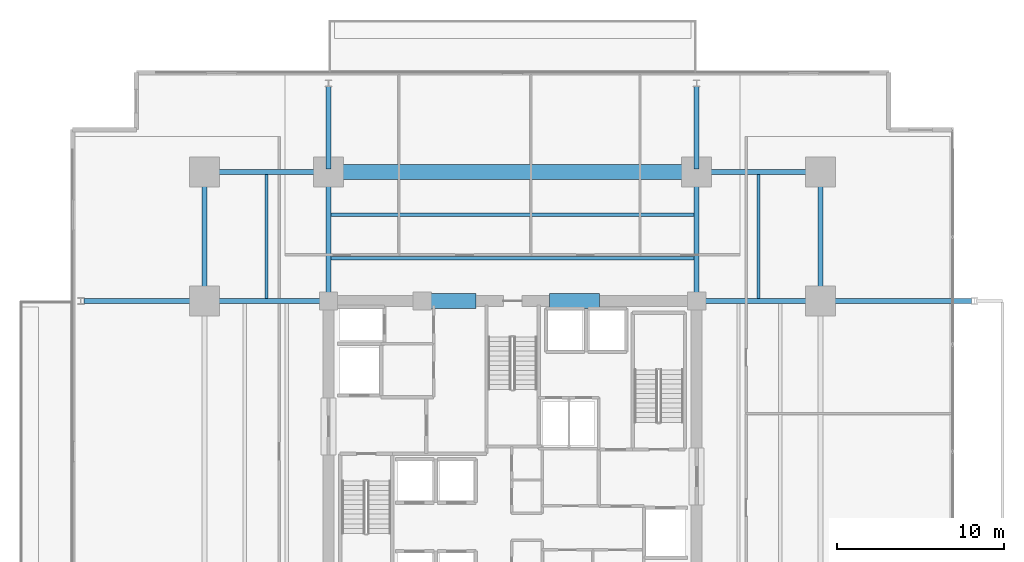
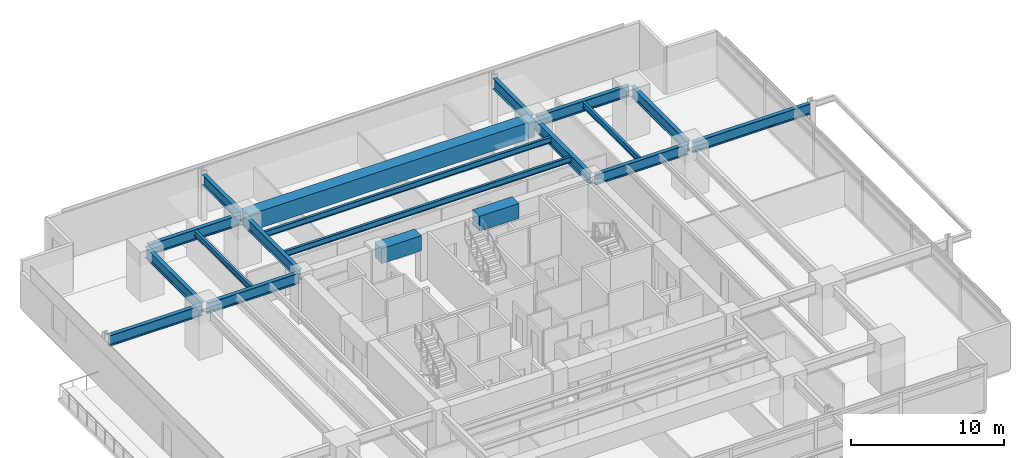
# One storey, part 9 of 19: 19 beams.
"""IFC4 building model written with IfcOpenShell, lengths in metres."""

from ifc_helpers import new_model, si_unit, direction, frame, origin, origin_2d, place, context, subcontext, project, spatial, rectangle, i_section, extrude, material, material_profile, profile_set, type_object, element, save


model = new_model("IFC4")

# Units and contexts
model_context = context("Model", 3, precision=1e-05, world=origin(), true_north=direction((0.0, 1.0)))
body_context = subcontext(model_context, "Body", "Model", "MODEL_VIEW")
ifc_project = project(units=[si_unit("LENGTHUNIT", "METRE"), si_unit("AREAUNIT", "SQUARE_METRE"), si_unit("VOLUMEUNIT", "CUBIC_METRE"), si_unit("PLANEANGLEUNIT", "RADIAN"), si_unit("MASSUNIT", "GRAM", prefix="KILO")], contexts=[model_context])

# Site, building, storey
site_placement = place(None, origin())
site = spatial("IfcSite", under=ifc_project, at=site_placement, CompositionType="ELEMENT")
building_placement = place(site_placement, origin())
building = spatial("IfcBuilding", under=site, at=building_placement, Name="Kovane Verandah Tower", CompositionType="ELEMENT")
storey_placement = place(building_placement, frame((0.0, 0.0, 83.60009765625)))
storey = spatial("IfcBuildingStorey", under=building, at=storey_placement, Name="L19", CompositionType="ELEMENT", Elevation=83.60009765625)

# Beams
ifc_material_1 = material(Name="Concrete C80/95", Category="concrete")
ifc_material_profile_1 = material_profile(ifc_material_1, rectangle(XDim=0.89990234375, YDim=1.199951171875, at=origin_2d()), Name="RCB900x1200")
ifc_profile_set_1 = profile_set([ifc_material_profile_1], Name="Concrete C80/95")
beam_type_1 = type_object("IfcBeamType", Name="BM-LINTEL-900x1200", PredefinedType="LINTEL", material=ifc_profile_set_1)
for number, where, z_axis, x_axis, name in (
    (1, (34.800048828125, 36.5, 3.159912109375), (1.0, 0.0, 0.0), (0.0, 1.0, 0.0), "L19 Core Coupling Lintel CL-N1"),
    (2, (42.199951171875, 36.5, 3.159912109375), (1.0, 0.0, 0.0), (0.0, 1.0, 0.0), "L19 Core Coupling Lintel CL-N2"),
):
    element("IfcBeam", number, at=place(storey_placement, frame(where, z_axis=z_axis, x_axis=x_axis)), inside=storey, type_object=beam_type_1, Name=name, PredefinedType="LINTEL", context=body_context, shape_type="SweptSolid", body=[
        extrude(rectangle(XDim=0.89990234375, YDim=1.199951171875, at=origin_2d()), origin(), (0.0, 0.0, 1.0), 3.0),
    ])
ifc_material_profile_2 = material_profile(ifc_material_1, rectangle(XDim=0.89990234375, YDim=1.35009765625, at=origin_2d()), Name="RCB900x1350")
ifc_profile_set_2 = profile_set([ifc_material_profile_2], Name="Concrete C80/95")
beam_type_2 = type_object("IfcBeamType", Name="BM-TR-900x1350", PredefinedType="BEAM", material=ifc_profile_set_2)
beam_1_placement = place(storey_placement, frame((29.179931640625, 44.199951171875, 3.0849609375), z_axis=(1.0, 0.0, 0.0), x_axis=(0.0, 1.0, 0.0)))
element("IfcBeam", 3, at=beam_1_placement, inside=storey, type_object=beam_type_2, Name="L19 Primary Tower Girder G-RN2", PredefinedType="BEAM", context=body_context, shape_type="SweptSolid", body=[
    extrude(rectangle(XDim=0.89990234375, YDim=1.35009765625, at=origin_2d()), origin(), (0.0, 0.0, 1.0), 21.64013671875),
])
ifc_material_2 = material(Name="Steel S355", Category="steel")
ifc_material_profile_3 = material_profile(ifc_material_2, i_section(OverallWidth=0.293701171875, OverallDepth=0.850830078125, WebThickness=0.01611328125, FlangeThickness=0.02685546875, FilletRadius=0.017822265625, at=origin_2d()), Name="UB838x292x226")
ifc_profile_set_3 = profile_set([ifc_material_profile_3], Name="Steel S355")
beam_type_3 = type_object("IfcBeamType", Name="BM-UB838x226", PredefinedType="BEAM", material=ifc_profile_set_3)
for number, where, z_axis, x_axis, name in (
    (4, (21.780029296875, 44.199951171875, 3.33447265625), (1.0, 0.0, 0.0), (0.0, 1.0, 0.0), "L19 Primary Tower Girder G-RN1"),
    (5, (51.179931640625, 44.199951171875, 3.33447265625), (1.0, 0.0, 0.0), (0.0, 1.0, 0.0), "L19 Primary Tower Girder G-RN3"),
):
    element("IfcBeam", number, at=place(storey_placement, frame(where, z_axis=z_axis, x_axis=x_axis)), inside=storey, type_object=beam_type_3, Name=name, PredefinedType="BEAM", context=body_context, shape_type="SweptSolid", body=[
        extrude(i_section(OverallWidth=0.293701171875, OverallDepth=0.850830078125, WebThickness=0.01611328125, FlangeThickness=0.02685546875, FilletRadius=0.017822265625, at=origin_2d()), origin(), (0.0, 0.0, 1.0), 7.0400390625),
    ])
for number, where, z_axis, x_axis, name in (
    (6, (21.60009765625, 36.679931640625, 3.33447265625), (0.0, 1.0, 0.0), (-1.0, 0.0, 0.0), "L19 Primary Tower Girder G-RW3"),
    (7, (58.39990234375, 36.679931640625, 3.33447265625), (0.0, 1.0, 0.0), (-1.0, 0.0, 0.0), "L19 Primary Tower Girder G-RE3"),
):
    element("IfcBeam", number, at=place(storey_placement, frame(where, z_axis=z_axis, x_axis=x_axis)), inside=storey, type_object=beam_type_3, Name=name, PredefinedType="BEAM", context=body_context, shape_type="SweptSolid", body=[
        extrude(i_section(OverallWidth=0.293701171875, OverallDepth=0.850830078125, WebThickness=0.01611328125, FlangeThickness=0.02685546875, FilletRadius=0.017822265625, at=origin_2d()), origin(), (0.0, 0.0, 1.0), 7.340087890625),
    ])
for number, where, z_axis, x_axis, name in (
    (8, (28.820068359375, 36.5, 3.33447265625), (-1.0, 0.0, 0.0), (0.0, -1.0, 0.0), "L19 Primary Tower Girder G-W2"),
    (9, (51.179931640625, 36.5, 3.33447265625), (1.0, 0.0, 0.0), (0.0, 1.0, 0.0), "L19 Primary Tower Girder G-E2"),
):
    element("IfcBeam", number, at=place(storey_placement, frame(where, z_axis=z_axis, x_axis=x_axis)), inside=storey, type_object=beam_type_3, Name=name, PredefinedType="BEAM", context=body_context, shape_type="SweptSolid", body=[
        extrude(i_section(OverallWidth=0.293701171875, OverallDepth=0.850830078125, WebThickness=0.01611328125, FlangeThickness=0.02685546875, FilletRadius=0.017822265625, at=origin_2d()), origin(), (0.0, 0.0, 1.0), 7.0400390625),
    ])
for number, where, z_axis, x_axis, name in (
    (10, (29.0, 36.679931640625, 3.33447265625), (0.0, 1.0, 0.0), (-1.0, 0.0, 0.0), "L19 Primary Tower Girder G-N1"),
    (11, (51.0, 36.679931640625, 3.33447265625), (0.0, 1.0, 0.0), (-1.0, 0.0, 0.0), "L19 Primary Tower Girder G-N2"),
):
    element("IfcBeam", number, at=place(storey_placement, frame(where, z_axis=z_axis, x_axis=x_axis)), inside=storey, type_object=beam_type_3, Name=name, PredefinedType="BEAM", context=body_context, shape_type="SweptSolid", body=[
        extrude(i_section(OverallWidth=0.293701171875, OverallDepth=0.850830078125, WebThickness=0.01611328125, FlangeThickness=0.02685546875, FilletRadius=0.017822265625, at=origin_2d()), origin(), (0.0, 0.0, 1.0), 7.340087890625),
    ])
beam_2_placement = place(storey_placement, frame((21.419921875, 36.5, 3.33447265625), z_axis=(-1.0, 0.0, 0.0), x_axis=(0.0, -1.0, 0.0)))
element("IfcBeam", 12, at=beam_2_placement, inside=storey, type_object=beam_type_3, Name="L19 Primary Tower Girder G-VW2", PredefinedType="BEAM", context=body_context, shape_type="SweptSolid", body=[
    extrude(i_section(OverallWidth=0.293701171875, OverallDepth=0.850830078125, WebThickness=0.01611328125, FlangeThickness=0.02685546875, FilletRadius=0.017822265625, at=origin_2d()), origin(), (0.0, 0.0, 1.0), 7.0400390625),
])
beam_3_placement = place(storey_placement, frame((58.580078125, 36.5, 3.33447265625), z_axis=(1.0, 0.0, 0.0), x_axis=(0.0, 1.0, 0.0)))
element("IfcBeam", 13, at=beam_3_placement, inside=storey, type_object=beam_type_3, Name="L19 Primary Tower Girder G-VE2", PredefinedType="BEAM", context=body_context, shape_type="SweptSolid", body=[
    extrude(i_section(OverallWidth=0.293701171875, OverallDepth=0.850830078125, WebThickness=0.01611328125, FlangeThickness=0.02685546875, FilletRadius=0.017822265625, at=origin_2d()), origin(), (0.0, 0.0, 1.0), 8.83984375),
])
for number, where, z_axis, x_axis, name in (
    (14, (29.0, 44.3798828125, 3.33447265625), (0.0, 1.0, 0.0), (-1.0, 0.0, 0.0), "L19 Primary Tower Girder G-VN1"),
    (15, (51.0, 44.3798828125, 3.33447265625), (0.0, 1.0, 0.0), (-1.0, 0.0, 0.0), "L19 Primary Tower Girder G-VN2"),
):
    element("IfcBeam", number, at=place(storey_placement, frame(where, z_axis=z_axis, x_axis=x_axis)), inside=storey, type_object=beam_type_3, Name=name, PredefinedType="BEAM", context=body_context, shape_type="SweptSolid", body=[
        extrude(i_section(OverallWidth=0.293701171875, OverallDepth=0.850830078125, WebThickness=0.01611328125, FlangeThickness=0.02685546875, FilletRadius=0.017822265625, at=origin_2d()), origin(), (0.0, 0.0, 1.0), 4.940185546875),
    ])
ifc_material_profile_4 = material_profile(ifc_material_2, i_section(OverallWidth=0.19287109375, OverallDepth=0.46728515625, WebThickness=0.011474609375, FlangeThickness=0.01953125, FilletRadius=0.01025390625, at=origin_2d()), Name="UB457x191x98")
ifc_profile_set_4 = profile_set([ifc_material_profile_4], Name="Steel S355")
beam_type_4 = type_object("IfcBeamType", Name="JST-UB457x98", PredefinedType="JOIST", material=ifc_profile_set_4)
for number, where, z_axis, x_axis, name in (
    (16, (29.14501953125, 39.050048828125, 3.5263671875), (1.0, 0.0, 0.0), (0.0, 1.0, 0.0), "L19 Secondary Composite Joist J-N1"),
    (17, (29.14501953125, 41.64990234375, 3.5263671875), (1.0, 0.0, 0.0), (0.0, 1.0, 0.0), "L19 Secondary Composite Joist J-N2"),
):
    element("IfcBeam", number, at=place(storey_placement, frame(where, z_axis=z_axis, x_axis=x_axis)), inside=storey, type_object=beam_type_4, Name=name, PredefinedType="JOIST", context=body_context, shape_type="SweptSolid", body=[
        extrude(i_section(OverallWidth=0.19287109375, OverallDepth=0.46728515625, WebThickness=0.011474609375, FlangeThickness=0.01953125, FilletRadius=0.01025390625, at=origin_2d()), origin(), (0.0, 0.0, 1.0), 21.7099609375),
    ])
for number, where, z_axis, x_axis, name in (
    (18, (25.300048828125, 36.64501953125, 3.5263671875), (0.0, 1.0, 0.0), (-1.0, 0.0, 0.0), "L19 Secondary Composite Joist J-NW1"),
    (19, (54.699951171875, 36.64501953125, 3.5263671875), (0.0, 1.0, 0.0), (-1.0, 0.0, 0.0), "L19 Secondary Composite Joist J-NE1"),
):
    element("IfcBeam", number, at=place(storey_placement, frame(where, z_axis=z_axis, x_axis=x_axis)), inside=storey, type_object=beam_type_4, Name=name, PredefinedType="JOIST", context=body_context, shape_type="SweptSolid", body=[
        extrude(i_section(OverallWidth=0.19287109375, OverallDepth=0.46728515625, WebThickness=0.011474609375, FlangeThickness=0.01953125, FilletRadius=0.01025390625, at=origin_2d()), origin(), (0.0, 0.0, 1.0), 7.41015625),
    ])

save(model, "model.ifc")
